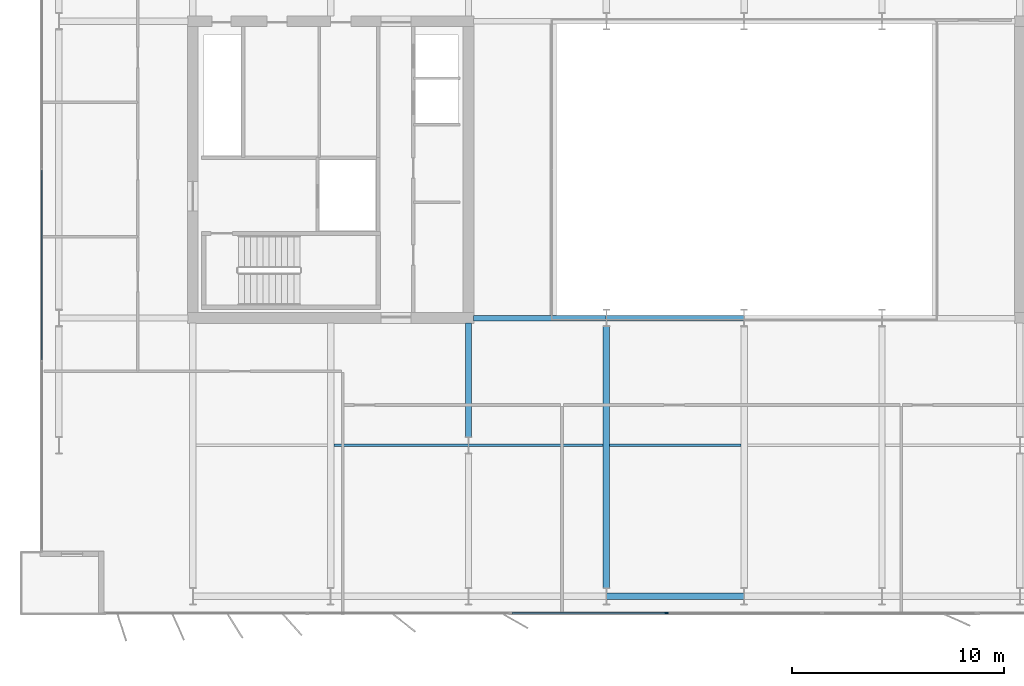
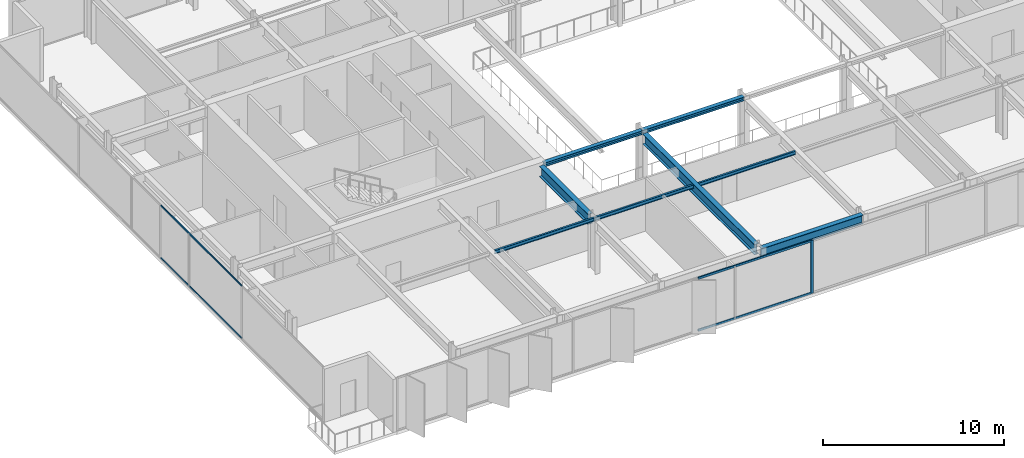
# One storey, part 4 of 23: 8 beams, 5 members, 2 elements without a shape of their own.
"""IFC4 building model written with IfcOpenShell, lengths in metres."""

from ifc_helpers import new_model, si_unit, direction, frame, origin, origin_2d, place, context, subcontext, project, spatial, rectangle, i_section, extrude, material, layer, layer_set, material_profile, profile_set, type_object, element, aggregate, save


model = new_model("IFC4")

# Units and contexts
model_context = context("Model", 3, precision=1e-05, world=origin(), true_north=direction((0.0, 1.0)))
body_context = subcontext(model_context, "Body", "Model", "MODEL_VIEW")
ifc_project = project(units=[si_unit("LENGTHUNIT", "METRE"), si_unit("AREAUNIT", "SQUARE_METRE"), si_unit("VOLUMEUNIT", "CUBIC_METRE"), si_unit("PLANEANGLEUNIT", "RADIAN"), si_unit("MASSUNIT", "GRAM", prefix="KILO")], contexts=[model_context])

# Site, building, storey
site_placement = place(None, origin())
site = spatial("IfcSite", under=ifc_project, at=site_placement, CompositionType="ELEMENT")
building_placement = place(site_placement, origin())
building = spatial("IfcBuilding", under=site, at=building_placement, Name="Putna Gate Headquarters", CompositionType="ELEMENT")
storey_placement = place(building_placement, frame((0.0, 0.0, 232.800048828125)))
storey = spatial("IfcBuildingStorey", under=building, at=storey_placement, Name="L58", CompositionType="ELEMENT", Elevation=232.800048828125)

# Beams
ifc_material_1 = material(Name="Steel S355J2", Category="steel")
ifc_material_profile_1 = material_profile(ifc_material_1, i_section(OverallWidth=0.260009765625, OverallDepth=0.260009765625, WebThickness=0.010009765625, FlangeThickness=0.017578125, at=origin_2d()), Name="Steel S355J2")
ifc_profile_set_1 = profile_set([ifc_material_profile_1], Name="Steel S355J2")
beam_type_1 = type_object("IfcBeamType", Name="BM-ATRIUM-HEB260", PredefinedType="BEAM", material=ifc_profile_set_1)
beam_1_placement = place(storey_placement, frame((26.235107421875, 19.0, 3.449951171875), z_axis=(1.0, 0.0, 0.0), x_axis=(0.0, 1.0, 0.0)))
element("IfcBeam", 1, at=beam_1_placement, inside=storey, type_object=beam_type_1, Name="L58 Atrium Edge Beam AS1", PredefinedType="BEAM", context=body_context, shape_type="SweptSolid", body=[
    extrude(i_section(OverallWidth=0.260009765625, OverallDepth=0.260009765625, WebThickness=0.010009765625, FlangeThickness=0.017578125, at=origin_2d()), origin(), (0.0, 0.0, 1.0), 6.2587890625),
])
beam_2_placement = place(storey_placement, frame((32.506103515625, 19.0, 3.449951171875), z_axis=(1.0, 0.0, 0.0), x_axis=(0.0, 1.0, 0.0)))
element("IfcBeam", 2, at=beam_2_placement, inside=storey, type_object=beam_type_1, Name="L58 Atrium Edge Beam AS2", PredefinedType="BEAM", context=body_context, shape_type="SweptSolid", body=[
    extrude(i_section(OverallWidth=0.260009765625, OverallDepth=0.260009765625, WebThickness=0.010009765625, FlangeThickness=0.017578125, at=origin_2d()), origin(), (0.0, 0.0, 1.0), 6.48779296875),
])
ifc_material_profile_2 = material_profile(ifc_material_1, i_section(OverallWidth=0.300048828125, OverallDepth=0.699951171875, WebThickness=0.01708984375, FlangeThickness=0.031982421875, at=origin_2d()), Name="Steel S355J2")
ifc_profile_set_2 = profile_set([ifc_material_profile_2], Name="Steel S355J2")
beam_type_2 = type_object("IfcBeamType", Name="BM-GIRD-B-HEB700", PredefinedType="USERDEFINED", material=ifc_profile_set_2)
beam_3_placement = place(storey_placement, frame((26.0, 13.39501953125, 3.22998046875), z_axis=(0.0, 1.0, 0.0), x_axis=(-1.0, 0.0, 0.0)))
element("IfcBeam", 3, at=beam_3_placement, inside=storey, type_object=beam_type_2, Name="L58 South Primary Girder X26-2", ObjectType="GIRDER", PredefinedType="USERDEFINED", context=body_context, shape_type="SweptSolid", body=[
    extrude(i_section(OverallWidth=0.300048828125, OverallDepth=0.699951171875, WebThickness=0.01708984375, FlangeThickness=0.031982421875, at=origin_2d()), origin(), (0.0, 0.0, 1.0), 5.369873046875),
])
beam_4_placement = place(storey_placement, frame((32.5, 6.27490234375, 3.22998046875), z_axis=(0.0, 1.0, 0.0), x_axis=(-1.0, 0.0, 0.0)))
element("IfcBeam", 4, at=beam_4_placement, inside=storey, type_object=beam_type_2, Name="L58 South Primary Girder X32", ObjectType="GIRDER", PredefinedType="USERDEFINED", context=body_context, shape_type="SweptSolid", body=[
    extrude(i_section(OverallWidth=0.300048828125, OverallDepth=0.699951171875, WebThickness=0.01708984375, FlangeThickness=0.031982421875, at=origin_2d()), origin(), (0.0, 0.0, 1.0), 12.330078125),
])
ifc_material_profile_3 = material_profile(ifc_material_1, i_section(OverallWidth=0.1201171875, OverallDepth=0.239990234375, WebThickness=0.006103515625, FlangeThickness=0.009765625, at=origin_2d()), Name="Steel S355J2")
ifc_profile_set_3 = profile_set([ifc_material_profile_3], Name="Steel S355J2")
beam_type_3 = type_object("IfcBeamType", Name="BM-SEC-Z4-IPE240", PredefinedType="JOIST", material=ifc_profile_set_3)
for number, where, z_axis, x_axis, name in (
    (5, (19.654052734375, 13.0, 3.4599609375), (1.0, 0.0, 0.0), (0.0, 1.0, 0.0), "L58 South Secondary Beam 2"),
    (6, (26.006103515625, 13.0, 3.4599609375), (1.0, 0.0, 0.0), (0.0, 1.0, 0.0), "L58 South Secondary Beam 3"),
):
    element("IfcBeam", number, at=place(storey_placement, frame(where, z_axis=z_axis, x_axis=x_axis)), inside=storey, type_object=beam_type_3, Name=name, PredefinedType="JOIST", context=body_context, shape_type="SweptSolid", body=[
        extrude(i_section(OverallWidth=0.1201171875, OverallDepth=0.239990234375, WebThickness=0.006103515625, FlangeThickness=0.009765625, at=origin_2d()), origin(), (0.0, 0.0, 1.0), 6.33984375),
    ])
beam_5_placement = place(storey_placement, frame((32.654052734375, 13.0, 3.4599609375), z_axis=(1.0, 0.0, 0.0), x_axis=(0.0, 1.0, 0.0)))
element("IfcBeam", 7, at=beam_5_placement, inside=storey, type_object=beam_type_3, Name="L58 South Secondary Beam 4", PredefinedType="JOIST", context=body_context, shape_type="SweptSolid", body=[
    extrude(i_section(OverallWidth=0.1201171875, OverallDepth=0.239990234375, WebThickness=0.006103515625, FlangeThickness=0.009765625, at=origin_2d()), origin(), (0.0, 0.0, 1.0), 6.19189453125),
])
ifc_material_profile_4 = material_profile(ifc_material_1, i_section(OverallWidth=0.300048828125, OverallDepth=0.590087890625, WebThickness=0.012939453125, FlangeThickness=0.02490234375, at=origin_2d()), Name="Steel S355J2")
ifc_profile_set_4 = profile_set([ifc_material_profile_4], Name="Steel S355J2")
beam_type_4 = type_object("IfcBeamType", Name="BM-SPAN-Z4-HEA600", PredefinedType="SPANDREL", material=ifc_profile_set_4)
beam_6_placement = place(storey_placement, frame((32.506103515625, 5.8798828125, 3.284912109375), z_axis=(1.0, 0.0, 0.0), x_axis=(0.0, 1.0, 0.0)))
element("IfcBeam", 8, at=beam_6_placement, inside=storey, type_object=beam_type_4, Name="L58 S Perimeter Spandrel 4", PredefinedType="SPANDREL", context=body_context, shape_type="SweptSolid", body=[
    extrude(i_section(OverallWidth=0.300048828125, OverallDepth=0.590087890625, WebThickness=0.012939453125, FlangeThickness=0.02490234375, at=origin_2d()), origin(), (0.0, 0.0, 1.0), 6.48779296875),
])

# Curtain wall, member
ifc_material_2 = material(Name="Anodised bronze aluminium curtain wall", Category="aluminium")
ifc_layer_1 = layer(ifc_material_2, 0.179931640625)
ifc_layer_set_1 = layer_set([ifc_layer_1], Name="Anodised bronze aluminium curtain wall")
curtain_wall_type_1 = type_object("IfcCurtainWallType", Name="CW-SYS-ATR", PredefinedType="USERDEFINED", material=ifc_layer_set_1)
curtain_wall_1_placement = place(storey_placement, origin())
curtain_wall_1 = element("IfcCurtainWall", 9, at=curtain_wall_1_placement, inside=storey, type_object=curtain_wall_type_1, Name="L58 South Atrium Clear Glazing", ObjectType="ATRIUM GLAZING", PredefinedType="USERDEFINED")
ifc_material_3 = material(Name="Anodised bronze aluminium EN AW-6060", Category="aluminium")
ifc_material_profile_5 = material_profile(ifc_material_3, rectangle(XDim=0.070068359375, YDim=0.179931640625, at=origin_2d()), Name="Anodised bronze aluminium EN AW-6060")
ifc_profile_set_5 = profile_set([ifc_material_profile_5], Name="Anodised bronze aluminium EN AW-6060")
member_type_1 = type_object("IfcMemberType", Name="MULL-CWM-AT", PredefinedType="MULLION", material=ifc_profile_set_5)
member_1_placement = place(storey_placement, frame((35.333251953125, 5.080078125, 0.0), z_axis=(0.0, 0.0, 1.0), x_axis=(0.0, 1.0, 0.0)))
member_1 = element("IfcMember", 10, at=member_1_placement, type_object=member_type_1, Name="CWS-AT mullion 2", PredefinedType="MULLION", context=body_context, shape_type="SweptSolid", body=[
    extrude(rectangle(XDim=0.070068359375, YDim=0.179931640625, at=origin_2d()), origin(), (0.0, 0.0, 1.0), 3.579833984375),
])

# Curtain wall, members
ifc_layer_2 = layer(ifc_material_2, 0.139892578125)
ifc_layer_set_2 = layer_set([ifc_layer_2], Name="Anodised bronze aluminium curtain wall")
curtain_wall_type_2 = type_object("IfcCurtainWallType", Name="CW-SYS-Z4", PredefinedType="USERDEFINED", material=ifc_layer_set_2)
curtain_wall_2_placement = place(storey_placement, origin())
curtain_wall_2 = element("IfcCurtainWall", 11, at=curtain_wall_2_placement, inside=storey, type_object=curtain_wall_type_2, Name="L58 West Curtain Wall", ObjectType="STICK CURTAIN WALL", PredefinedType="USERDEFINED")
ifc_material_profile_6 = material_profile(ifc_material_3, rectangle(XDim=0.06005859375, YDim=0.10009765625, at=origin_2d()), Name="Anodised bronze aluminium EN AW-6060")
ifc_profile_set_6 = profile_set([ifc_material_profile_6], Name="Anodised bronze aluminium EN AW-6060")
member_type_2 = type_object("IfcMemberType", Name="TRAN-CWT-4", PredefinedType="USERDEFINED", material=ifc_profile_set_6)
member_2_placement = place(storey_placement, frame((5.8798828125, 17.030029296875, 0.030029296875), z_axis=(0.0, 1.0, 0.0), x_axis=(-1.0, 0.0, 0.0)))
member_2 = element("IfcMember", 12, at=member_2_placement, type_object=member_type_2, Name="CWS-4 transom 2.1", ObjectType="TRANSOM", PredefinedType="USERDEFINED", context=body_context, shape_type="SweptSolid", body=[
    extrude(rectangle(XDim=0.06005859375, YDim=0.10009765625, at=origin_2d()), origin(), (0.0, 0.0, 1.0), 8.93994140625),
])
member_3_placement = place(storey_placement, frame((5.8798828125, 17.030029296875, 3.550048828125), z_axis=(0.0, 1.0, 0.0), x_axis=(-1.0, 0.0, 0.0)))
member_3 = element("IfcMember", 13, at=member_3_placement, type_object=member_type_2, Name="CWS-4 transom 2.2", ObjectType="TRANSOM", PredefinedType="USERDEFINED", context=body_context, shape_type="SweptSolid", body=[
    extrude(rectangle(XDim=0.06005859375, YDim=0.10009765625, at=origin_2d()), origin(), (0.0, 0.0, 1.0), 8.93994140625),
])
aggregate(curtain_wall_2, [member_2, member_3])

# Member
ifc_material_profile_7 = material_profile(ifc_material_3, rectangle(XDim=0.070068359375, YDim=0.139892578125, at=origin_2d()), Name="Anodised bronze aluminium EN AW-6060")
ifc_profile_set_7 = profile_set([ifc_material_profile_7], Name="Anodised bronze aluminium EN AW-6060")
member_type_3 = type_object("IfcMemberType", Name="TRAN-CWT-AT", PredefinedType="USERDEFINED", material=ifc_profile_set_7)
member_4_placement = place(storey_placement, frame((28.070068359375, 5.080078125, 0.034912109375), z_axis=(1.0, 0.0, 0.0), x_axis=(0.0, 1.0, 0.0)))
member_4 = element("IfcMember", 14, at=member_4_placement, type_object=member_type_3, Name="CWS-AT transom 1.1", ObjectType="TRANSOM", PredefinedType="USERDEFINED", context=body_context, shape_type="SweptSolid", body=[
    extrude(rectangle(XDim=0.070068359375, YDim=0.139892578125, at=origin_2d()), origin(), (0.0, 0.0, 1.0), 7.228271484375),
])

member_5_placement = place(storey_placement, frame((28.070068359375, 5.080078125, 3.544921875), z_axis=(1.0, 0.0, 0.0), x_axis=(0.0, 1.0, 0.0)))
member_5 = element("IfcMember", 15, at=member_5_placement, type_object=member_type_3, Name="CWS-AT transom 1.2", ObjectType="TRANSOM", PredefinedType="USERDEFINED", context=body_context, shape_type="SweptSolid", body=[
    extrude(rectangle(XDim=0.070068359375, YDim=0.139892578125, at=origin_2d()), origin(), (0.0, 0.0, 1.0), 7.228271484375),
])

aggregate(curtain_wall_1, [member_1, member_4, member_5])

save(model, "model.ifc")
